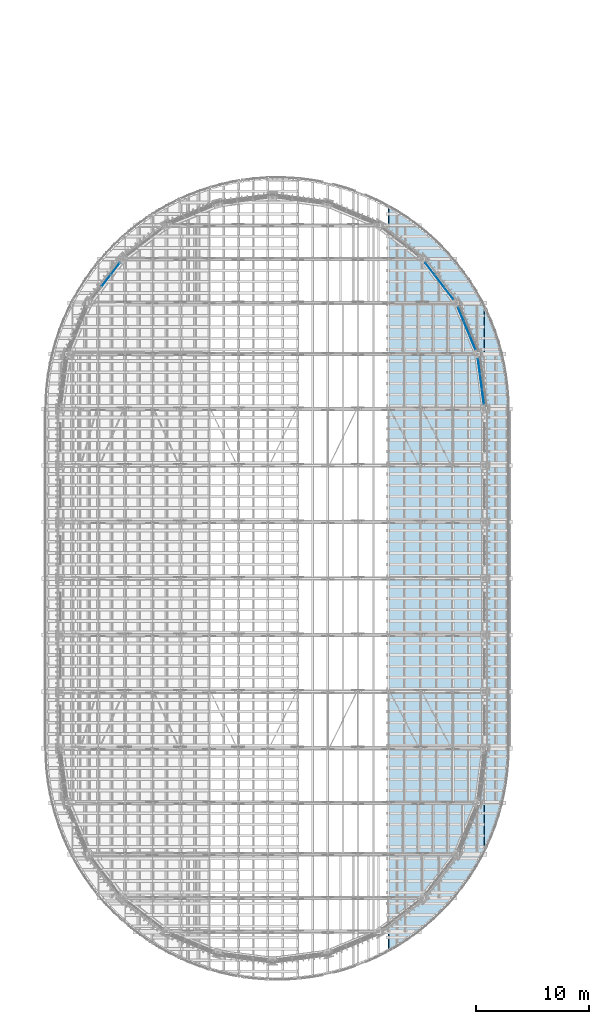
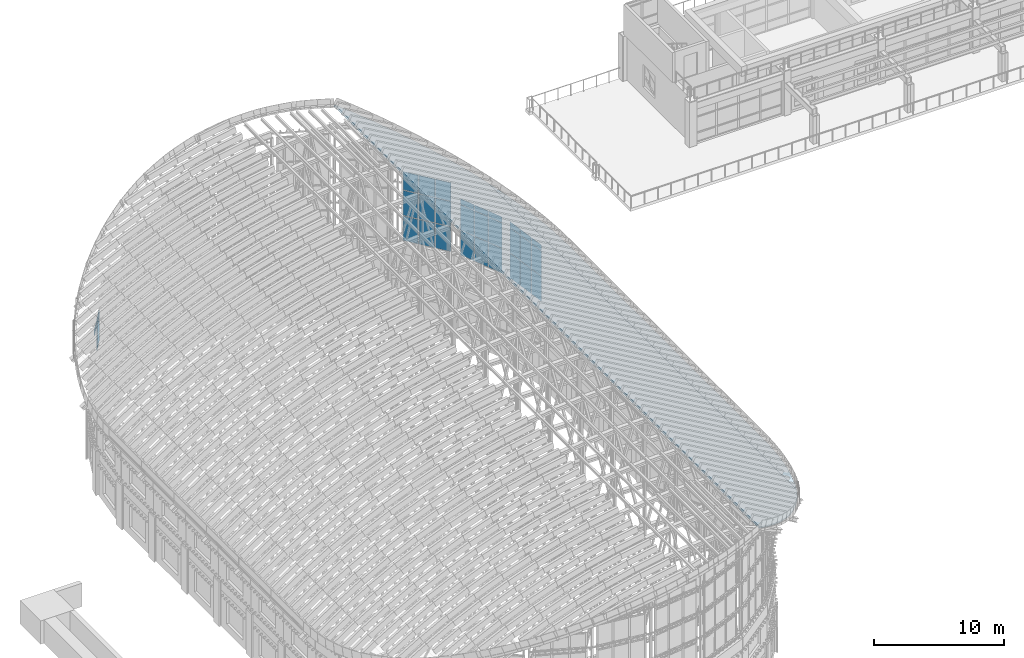
# One storey, part 48 of 105: 30 plates, 2 slabs, 4 elements without a shape of their own.
"""IFC4 building model written with IfcOpenShell, lengths in metres."""

from ifc_helpers import new_model, si_unit, direction, frame, origin, origin_2d, place, context, subcontext, project, spatial, polyline, rectangle, outline, extrude, material, layer, layer_set, type_object, element, aggregate, save


model = new_model("IFC4")

# Units and contexts
model_context = context("Model", 3, precision=1e-05, world=origin(), true_north=direction((0.0, 1.0)))
body_context = subcontext(model_context, "Body", "Model", "MODEL_VIEW")
ifc_project = project(units=[si_unit("LENGTHUNIT", "METRE"), si_unit("AREAUNIT", "SQUARE_METRE"), si_unit("VOLUMEUNIT", "CUBIC_METRE"), si_unit("PLANEANGLEUNIT", "RADIAN"), si_unit("MASSUNIT", "GRAM", prefix="KILO")], contexts=[model_context])

# Site, building, storey
site_placement = place(None, origin())
site = spatial("IfcSite", under=ifc_project, at=site_placement, CompositionType="ELEMENT")
building_placement = place(site_placement, origin())
building = spatial("IfcBuilding", under=site, at=building_placement, Name="Wasatch Bagh Community Centre", CompositionType="ELEMENT")
storey_placement = place(building_placement, frame((0.0, 0.0, 16.800048828125)))
storey = spatial("IfcBuildingStorey", under=building, at=storey_placement, Name="L04", CompositionType="ELEMENT", Elevation=16.800048828125)

# Curtain wall, plates
ifc_material_1 = material(Name="Aluminium curtain wall frame with low-iron glass", Category="aluminium")
ifc_layer_1 = layer(ifc_material_1, 0.10009765625)
ifc_layer_set_1 = layer_set([ifc_layer_1], Name="Aluminium curtain wall frame with low-iron glass")
curtain_wall_type_1 = type_object("IfcCurtainWallType", Name="MH end screen curtain wall 9", PredefinedType="NOTDEFINED", material=ifc_layer_set_1)
curtain_wall_1_placement = place(storey_placement, origin())
curtain_wall_1 = element("IfcCurtainWall", 1, at=curtain_wall_1_placement, inside=storey, type_object=curtain_wall_type_1, Name="End screen 19", PredefinedType="NOTDEFINED")
ifc_material_2 = material(Name="Low-iron insulated glass", Category="glass")
ifc_layer_2 = layer(ifc_material_2, 0.028076171875)
ifc_layer_set_2 = layer_set([ifc_layer_2], Name="Low-iron insulated glass")
plate_type_1 = type_object("IfcPlateType", Name="MH end screen panel 28", PredefinedType="CURTAIN_PANEL", material=ifc_layer_set_2)
plate_1_placement = place(storey_placement, frame((54.60791015625, 66.0791015625, 7.760009765625), z_axis=(0.0, 0.0, 1.0), x_axis=(-0.13052619222, 0.991444861374, 0.0)))
plate_1 = element("IfcPlate", 2, at=plate_1_placement, type_object=plate_type_1, Name="MH-CW9 panel 1.1", PredefinedType="CURTAIN_PANEL", context=body_context, shape_type="SweptSolid", body=[
    extrude(rectangle(XDim=1.283935546875, YDim=0.028076171875, at=origin_2d()), origin(), (0.0, 0.0, 1.0), 2.31005859375),
])
plate_2_placement = place(storey_placement, frame((54.60791015625, 66.0791015625, 10.1298828125), z_axis=(0.0, 0.0, 1.0), x_axis=(-0.13052619222, 0.991444861374, 0.0)))
plate_2 = element("IfcPlate", 3, at=plate_2_placement, type_object=plate_type_1, Name="MH-CW9 panel 1.2", PredefinedType="CURTAIN_PANEL", context=body_context, shape_type="SweptSolid", body=[
    extrude(rectangle(XDim=1.283935546875, YDim=0.028076171875, at=origin_2d()), origin(), (0.0, 0.0, 1.0), 2.340087890625),
])
plate_3_placement = place(storey_placement, frame((54.60791015625, 66.0791015625, 12.52978515625), z_axis=(0.0, 0.0, 1.0), x_axis=(-0.13052619222, 0.991444861374, 0.0)))
plate_3 = element("IfcPlate", 4, at=plate_3_placement, type_object=plate_type_1, Name="MH-CW9 panel 1.3", PredefinedType="CURTAIN_PANEL", context=body_context, shape_type="SweptSolid", body=[
    extrude(rectangle(XDim=1.283935546875, YDim=0.028076171875, at=origin_2d()), origin(), (0.0, 0.0, 1.0), 0.510009765625),
])
plate_4_placement = place(storey_placement, frame((54.4306640625, 67.426513671875, 7.760009765625), z_axis=(0.0, 0.0, 1.0), x_axis=(-0.13052619222, 0.991444861374, 0.0)))
plate_4 = element("IfcPlate", 5, at=plate_4_placement, type_object=plate_type_1, Name="MH-CW9 panel 2.1", PredefinedType="CURTAIN_PANEL", context=body_context, shape_type="SweptSolid", body=[
    extrude(rectangle(XDim=1.31396484375, YDim=0.028076171875, at=origin_2d()), origin(), (0.0, 0.0, 1.0), 2.31005859375),
])
plate_5_placement = place(storey_placement, frame((54.4306640625, 67.426513671875, 10.1298828125), z_axis=(0.0, 0.0, 1.0), x_axis=(-0.13052619222, 0.991444861374, 0.0)))
plate_5 = element("IfcPlate", 6, at=plate_5_placement, type_object=plate_type_1, Name="MH-CW9 panel 2.2", PredefinedType="CURTAIN_PANEL", context=body_context, shape_type="SweptSolid", body=[
    extrude(rectangle(XDim=1.31396484375, YDim=0.028076171875, at=origin_2d()), origin(), (0.0, 0.0, 1.0), 2.340087890625),
])
plate_6_placement = place(storey_placement, frame((54.4306640625, 67.426513671875, 12.52978515625), z_axis=(0.0, 0.0, 1.0), x_axis=(-0.13052619222, 0.991444861374, 0.0)))
plate_6 = element("IfcPlate", 7, at=plate_6_placement, type_object=plate_type_1, Name="MH-CW9 panel 2.3", PredefinedType="CURTAIN_PANEL", context=body_context, shape_type="SweptSolid", body=[
    extrude(rectangle(XDim=1.31396484375, YDim=0.028076171875, at=origin_2d()), origin(), (0.0, 0.0, 1.0), 0.510009765625),
])

curtain_wall_2_placement = place(storey_placement, origin())
curtain_wall_2 = element("IfcCurtainWall", 8, at=curtain_wall_2_placement, inside=storey, type_object=curtain_wall_type_1, Name="End screen 20", PredefinedType="NOTDEFINED")
plate_7_placement = place(storey_placement, frame((53.174560546875, 72.114013671875, 7.760009765625), z_axis=(0.0, 0.0, 1.0), x_axis=(-0.382683432188, 0.923879532585, 0.0)))
plate_7 = element("IfcPlate", 9, at=plate_7_placement, type_object=plate_type_1, Name="MH-CW9 panel 2.1", PredefinedType="CURTAIN_PANEL", context=body_context, shape_type="SweptSolid", body=[
    extrude(rectangle(XDim=1.31396484375, YDim=0.028076171875, at=origin_2d()), origin(), (0.0, 0.0, 1.0), 2.31005859375),
])
plate_8_placement = place(storey_placement, frame((53.174560546875, 72.114013671875, 10.1298828125), z_axis=(0.0, 0.0, 1.0), x_axis=(-0.382683432188, 0.923879532585, 0.0)))
plate_8 = element("IfcPlate", 10, at=plate_8_placement, type_object=plate_type_1, Name="MH-CW9 panel 2.2", PredefinedType="CURTAIN_PANEL", context=body_context, shape_type="SweptSolid", body=[
    extrude(rectangle(XDim=1.31396484375, YDim=0.028076171875, at=origin_2d()), origin(), (0.0, 0.0, 1.0), 2.340087890625),
])
plate_9_placement = place(storey_placement, frame((53.174560546875, 72.114013671875, 12.52978515625), z_axis=(0.0, 0.0, 1.0), x_axis=(-0.382683432188, 0.923879532585, 0.0)))
plate_9 = element("IfcPlate", 11, at=plate_9_placement, type_object=plate_type_1, Name="MH-CW9 panel 2.3", PredefinedType="CURTAIN_PANEL", context=body_context, shape_type="SweptSolid", body=[
    extrude(rectangle(XDim=1.31396484375, YDim=0.028076171875, at=origin_2d()), origin(), (0.0, 0.0, 1.0), 0.510009765625),
])

ifc_layer_3 = layer(ifc_material_1, 0.10009765625)
ifc_layer_set_3 = layer_set([ifc_layer_3], Name="Aluminium curtain wall frame with low-iron glass")
curtain_wall_type_2 = type_object("IfcCurtainWallType", Name="MH end screen curtain wall 5", PredefinedType="NOTDEFINED", material=ifc_layer_set_3)
curtain_wall_3_placement = place(storey_placement, origin())
curtain_wall_3 = element("IfcCurtainWall", 12, at=curtain_wall_3_placement, inside=storey, type_object=curtain_wall_type_2, Name="End screen 21", PredefinedType="NOTDEFINED")
plate_10_placement = place(storey_placement, frame((50.748046875, 76.316650390625, 7.760009765625), z_axis=(0.0, 0.0, 1.0), x_axis=(-0.608761429036, 0.79335334027, 0.0)))
plate_10 = element("IfcPlate", 13, at=plate_10_placement, type_object=plate_type_1, Name="MH-CW5 panel 2.1", PredefinedType="CURTAIN_PANEL", context=body_context, shape_type="SweptSolid", body=[
    extrude(rectangle(XDim=1.31396484375, YDim=0.028076171875, at=origin_2d()), origin(), (0.0, 0.0, 1.0), 2.31005859375),
])
plate_11_placement = place(storey_placement, frame((50.748046875, 76.316650390625, 10.1298828125), z_axis=(0.0, 0.0, 1.0), x_axis=(-0.608761429036, 0.79335334027, 0.0)))
plate_11 = element("IfcPlate", 14, at=plate_11_placement, type_object=plate_type_1, Name="MH-CW5 panel 2.2", PredefinedType="CURTAIN_PANEL", context=body_context, shape_type="SweptSolid", body=[
    extrude(rectangle(XDim=1.31396484375, YDim=0.028076171875, at=origin_2d()), origin(), (0.0, 0.0, 1.0), 2.340087890625),
])
plate_12_placement = place(storey_placement, frame((50.748046875, 76.316650390625, 12.530029296875), z_axis=(0.0, 0.0, 1.0), x_axis=(-0.608761429036, 0.79335334027, 0.0)))
plate_12 = element("IfcPlate", 15, at=plate_12_placement, type_object=plate_type_1, Name="MH-CW5 panel 2.3", PredefinedType="CURTAIN_PANEL", context=body_context, shape_type="SweptSolid", body=[
    extrude(rectangle(XDim=1.31396484375, YDim=0.028076171875, at=origin_2d()), origin(), (0.0, 0.0, 1.0), 1.7099609375),
])

# Curtain wall, plate
ifc_layer_4 = layer(ifc_material_1, 0.10009765625)
ifc_layer_set_4 = layer_set([ifc_layer_4], Name="Aluminium curtain wall frame with low-iron glass")
curtain_wall_type_3 = type_object("IfcCurtainWallType", Name="MH end screen curtain wall 3", PredefinedType="NOTDEFINED", material=ifc_layer_set_4)
curtain_wall_4_placement = place(storey_placement, origin())
curtain_wall_4 = element("IfcCurtainWall", 16, at=curtain_wall_4_placement, inside=storey, type_object=curtain_wall_type_3, Name="End screen 28", PredefinedType="NOTDEFINED")
plate_13_placement = place(storey_placement, frame((21.251953125, 76.316650390625, 10.1298828125), z_axis=(0.0, 0.0, 1.0), x_axis=(-0.608761429036, -0.79335334027, 0.0)))
plate_13 = element("IfcPlate", 17, at=plate_13_placement, type_object=plate_type_1, Name="MH-CW3 panel 2.2", PredefinedType="CURTAIN_PANEL", context=body_context, shape_type="SweptSolid", body=[
    extrude(rectangle(XDim=1.31396484375, YDim=0.028076171875, at=origin_2d()), origin(), (0.0, 0.0, 1.0), 0.510009765625),
])

# Plate
ifc_material_3 = material(Name="Insulated aluminium spandrel panel", Category="aluminium")
ifc_layer_5 = layer(ifc_material_3, 0.0400390625)
ifc_layer_set_5 = layer_set([ifc_layer_5], Name="Insulated aluminium spandrel panel")
plate_type_2 = type_object("IfcPlateType", Name="MH end screen spandrel panel 40", PredefinedType="CURTAIN_PANEL", material=ifc_layer_set_5)
plate_14_placement = place(storey_placement, frame((54.253173828125, 68.773681640625, 7.760009765625), z_axis=(0.0, 0.0, 1.0), x_axis=(-0.13052619222, 0.991444861374, 0.0)))
plate_14 = element("IfcPlate", 18, at=plate_14_placement, type_object=plate_type_2, Name="MH-CW9 spandrel 3.1", PredefinedType="CURTAIN_PANEL", context=body_context, shape_type="SweptSolid", body=[
    extrude(rectangle(XDim=1.283935546875, YDim=0.028076171875, at=origin_2d()), origin(), (0.0, 0.0, 1.0), 2.31005859375),
])

plate_15_placement = place(storey_placement, frame((54.253173828125, 68.773681640625, 10.1298828125), z_axis=(0.0, 0.0, 1.0), x_axis=(-0.13052619222, 0.991444861374, 0.0)))
plate_15 = element("IfcPlate", 19, at=plate_15_placement, type_object=plate_type_2, Name="MH-CW9 spandrel 3.2", PredefinedType="CURTAIN_PANEL", context=body_context, shape_type="SweptSolid", body=[
    extrude(rectangle(XDim=1.283935546875, YDim=0.028076171875, at=origin_2d()), origin(), (0.0, 0.0, 1.0), 2.340087890625),
])

plate_16_placement = place(storey_placement, frame((54.253173828125, 68.773681640625, 12.52978515625), z_axis=(0.0, 0.0, 1.0), x_axis=(-0.13052619222, 0.991444861374, 0.0)))
plate_16 = element("IfcPlate", 20, at=plate_16_placement, type_object=plate_type_2, Name="MH-CW9 spandrel 3.3", PredefinedType="CURTAIN_PANEL", context=body_context, shape_type="SweptSolid", body=[
    extrude(rectangle(XDim=1.283935546875, YDim=0.028076171875, at=origin_2d()), origin(), (0.0, 0.0, 1.0), 0.510009765625),
])

aggregate(curtain_wall_1, [plate_1, plate_2, plate_3, plate_4, plate_5, plate_6, plate_14, plate_15, plate_16])

plate_17_placement = place(storey_placement, frame((53.694580078125, 70.8583984375, 7.760009765625), z_axis=(0.0, 0.0, 1.0), x_axis=(-0.382683432188, 0.923879532585, 0.0)))
plate_17 = element("IfcPlate", 21, at=plate_17_placement, type_object=plate_type_2, Name="MH-CW9 spandrel 1.1", PredefinedType="CURTAIN_PANEL", context=body_context, shape_type="SweptSolid", body=[
    extrude(rectangle(XDim=1.283935546875, YDim=0.028076171875, at=origin_2d()), origin(), (0.0, 0.0, 1.0), 2.31005859375),
])

plate_18_placement = place(storey_placement, frame((53.694580078125, 70.8583984375, 10.1298828125), z_axis=(0.0, 0.0, 1.0), x_axis=(-0.382683432188, 0.923879532585, 0.0)))
plate_18 = element("IfcPlate", 22, at=plate_18_placement, type_object=plate_type_2, Name="MH-CW9 spandrel 1.2", PredefinedType="CURTAIN_PANEL", context=body_context, shape_type="SweptSolid", body=[
    extrude(rectangle(XDim=1.283935546875, YDim=0.028076171875, at=origin_2d()), origin(), (0.0, 0.0, 1.0), 2.340087890625),
])

plate_19_placement = place(storey_placement, frame((53.694580078125, 70.8583984375, 12.52978515625), z_axis=(0.0, 0.0, 1.0), x_axis=(-0.382683432188, 0.923879532585, 0.0)))
plate_19 = element("IfcPlate", 23, at=plate_19_placement, type_object=plate_type_2, Name="MH-CW9 spandrel 1.3", PredefinedType="CURTAIN_PANEL", context=body_context, shape_type="SweptSolid", body=[
    extrude(rectangle(XDim=1.283935546875, YDim=0.028076171875, at=origin_2d()), origin(), (0.0, 0.0, 1.0), 0.510009765625),
])

plate_20_placement = place(storey_placement, frame((52.654541015625, 73.369384765625, 7.760009765625), z_axis=(0.0, 0.0, 1.0), x_axis=(-0.382683432188, 0.923879532585, 0.0)))
plate_20 = element("IfcPlate", 24, at=plate_20_placement, type_object=plate_type_2, Name="MH-CW9 spandrel 3.1", PredefinedType="CURTAIN_PANEL", context=body_context, shape_type="SweptSolid", body=[
    extrude(rectangle(XDim=1.283935546875, YDim=0.028076171875, at=origin_2d()), origin(), (0.0, 0.0, 1.0), 2.31005859375),
])

plate_21_placement = place(storey_placement, frame((52.654541015625, 73.369384765625, 10.1298828125), z_axis=(0.0, 0.0, 1.0), x_axis=(-0.382683432188, 0.923879532585, 0.0)))
plate_21 = element("IfcPlate", 25, at=plate_21_placement, type_object=plate_type_2, Name="MH-CW9 spandrel 3.2", PredefinedType="CURTAIN_PANEL", context=body_context, shape_type="SweptSolid", body=[
    extrude(rectangle(XDim=1.283935546875, YDim=0.028076171875, at=origin_2d()), origin(), (0.0, 0.0, 1.0), 2.340087890625),
])

plate_22_placement = place(storey_placement, frame((52.654541015625, 73.369384765625, 12.52978515625), z_axis=(0.0, 0.0, 1.0), x_axis=(-0.382683432188, 0.923879532585, 0.0)))
plate_22 = element("IfcPlate", 26, at=plate_22_placement, type_object=plate_type_2, Name="MH-CW9 spandrel 3.3", PredefinedType="CURTAIN_PANEL", context=body_context, shape_type="SweptSolid", body=[
    extrude(rectangle(XDim=1.283935546875, YDim=0.028076171875, at=origin_2d()), origin(), (0.0, 0.0, 1.0), 0.510009765625),
])

aggregate(curtain_wall_2, [plate_17, plate_18, plate_19, plate_7, plate_8, plate_9, plate_20, plate_21, plate_22])

plate_23_placement = place(storey_placement, frame((51.575439453125, 75.238525390625, 7.760009765625), z_axis=(0.0, 0.0, 1.0), x_axis=(-0.608761429036, 0.79335334027, 0.0)))
plate_23 = element("IfcPlate", 27, at=plate_23_placement, type_object=plate_type_2, Name="MH-CW5 spandrel 1.1", PredefinedType="CURTAIN_PANEL", context=body_context, shape_type="SweptSolid", body=[
    extrude(rectangle(XDim=1.283935546875, YDim=0.028076171875, at=origin_2d()), origin(), (0.0, 0.0, 1.0), 2.31005859375),
])

plate_24_placement = place(storey_placement, frame((51.575439453125, 75.238525390625, 10.1298828125), z_axis=(0.0, 0.0, 1.0), x_axis=(-0.608761429036, 0.79335334027, 0.0)))
plate_24 = element("IfcPlate", 28, at=plate_24_placement, type_object=plate_type_2, Name="MH-CW5 spandrel 1.2", PredefinedType="CURTAIN_PANEL", context=body_context, shape_type="SweptSolid", body=[
    extrude(rectangle(XDim=1.283935546875, YDim=0.028076171875, at=origin_2d()), origin(), (0.0, 0.0, 1.0), 2.340087890625),
])

plate_25_placement = place(storey_placement, frame((51.575439453125, 75.238525390625, 12.530029296875), z_axis=(0.0, 0.0, 1.0), x_axis=(-0.608761429036, 0.79335334027, 0.0)))
plate_25 = element("IfcPlate", 29, at=plate_25_placement, type_object=plate_type_2, Name="MH-CW5 spandrel 1.3", PredefinedType="CURTAIN_PANEL", context=body_context, shape_type="SweptSolid", body=[
    extrude(rectangle(XDim=1.283935546875, YDim=0.028076171875, at=origin_2d()), origin(), (0.0, 0.0, 1.0), 1.7099609375),
])

plate_26_placement = place(storey_placement, frame((49.9208984375, 77.394775390625, 7.760009765625), z_axis=(0.0, 0.0, 1.0), x_axis=(-0.608761429036, 0.79335334027, 0.0)))
plate_26 = element("IfcPlate", 30, at=plate_26_placement, type_object=plate_type_2, Name="MH-CW5 spandrel 3.1", PredefinedType="CURTAIN_PANEL", context=body_context, shape_type="SweptSolid", body=[
    extrude(rectangle(XDim=1.283935546875, YDim=0.028076171875, at=origin_2d()), origin(), (0.0, 0.0, 1.0), 2.31005859375),
])

plate_27_placement = place(storey_placement, frame((49.9208984375, 77.394775390625, 10.1298828125), z_axis=(0.0, 0.0, 1.0), x_axis=(-0.608761429036, 0.79335334027, 0.0)))
plate_27 = element("IfcPlate", 31, at=plate_27_placement, type_object=plate_type_2, Name="MH-CW5 spandrel 3.2", PredefinedType="CURTAIN_PANEL", context=body_context, shape_type="SweptSolid", body=[
    extrude(rectangle(XDim=1.283935546875, YDim=0.028076171875, at=origin_2d()), origin(), (0.0, 0.0, 1.0), 2.340087890625),
])

plate_28_placement = place(storey_placement, frame((49.9208984375, 77.394775390625, 12.530029296875), z_axis=(0.0, 0.0, 1.0), x_axis=(-0.608761429036, 0.79335334027, 0.0)))
plate_28 = element("IfcPlate", 32, at=plate_28_placement, type_object=plate_type_2, Name="MH-CW5 spandrel 3.3", PredefinedType="CURTAIN_PANEL", context=body_context, shape_type="SweptSolid", body=[
    extrude(rectangle(XDim=1.283935546875, YDim=0.028076171875, at=origin_2d()), origin(), (0.0, 0.0, 1.0), 1.7099609375),
])

aggregate(curtain_wall_3, [plate_23, plate_24, plate_25, plate_10, plate_11, plate_12, plate_26, plate_27, plate_28])

plate_29_placement = place(storey_placement, frame((22.0791015625, 77.394775390625, 7.760009765625), z_axis=(0.0, 0.0, 1.0), x_axis=(-0.608761429036, -0.79335334027, 0.0)))
plate_29 = element("IfcPlate", 33, at=plate_29_placement, type_object=plate_type_2, Name="MH-CW3 spandrel 1.1", PredefinedType="CURTAIN_PANEL", context=body_context, shape_type="SweptSolid", body=[
    extrude(rectangle(XDim=1.283935546875, YDim=0.028076171875, at=origin_2d()), origin(), (0.0, 0.0, 1.0), 2.31005859375),
])

plate_30_placement = place(storey_placement, frame((22.0791015625, 77.394775390625, 10.1298828125), z_axis=(0.0, 0.0, 1.0), x_axis=(-0.608761429036, -0.79335334027, 0.0)))
plate_30 = element("IfcPlate", 34, at=plate_30_placement, type_object=plate_type_2, Name="MH-CW3 spandrel 1.2", PredefinedType="CURTAIN_PANEL", context=body_context, shape_type="SweptSolid", body=[
    extrude(rectangle(XDim=1.283935546875, YDim=0.028076171875, at=origin_2d()), origin(), (0.0, 0.0, 1.0), 0.510009765625),
])

aggregate(curtain_wall_4, [plate_29, plate_30, plate_13])

# Slabs
ifc_material_4 = material(Name="ASTM A653 Grade 50 steel roof deck assembly", Category="steel")
ifc_layer_6 = layer(ifc_material_4, 0.139892578125)
ifc_layer_set_6 = layer_set([ifc_layer_6], Name="ASTM A653 Grade 50 steel roof deck assembly")
slab_type = type_object("IfcSlabType", Name="MH roof deck", PredefinedType="ROOF", material=ifc_layer_set_6)
slab_1_placement = place(storey_placement, frame((46.862060546875, 82.454833984375, 18.3662109375), z_axis=(0.500000468849, 0.0, 0.866025133094), x_axis=(0.759287815156, -0.480945808944, -0.438375572557)))
element("IfcSlab", 35, at=slab_1_placement, inside=storey, type_object=slab_type, Name="Roof deck 13", PredefinedType="ROOF", context=body_context, shape_type="SweptSolid", body=[
    extrude(outline(polyline([(0.0, 0.0), (1.1111934404807402, -4.163336342344337e-17), (2.2146767592671868, -0.05073238517749534), (3.3073279118774126, -0.15223900377360555), (4.386716675691794, -0.3041822016597506), (5.4503344803752265, -0.5062673027415877), (6.49552665961143, -0.7580013117789584), (7.519930945372141, -1.0587308369769768), (8.520696905215212, -1.4077918107578977), (9.495569296398648, -1.8044721320665906), (10.44254620377356, -2.247642274887136), (11.358913104080525, -2.7360066963091776), (12.150841177504004, -3.2135497869694847), (35.03756805642985, -44.93539206126525), (35.014730571038974, -45.859878906047065), (34.934147915864244, -46.895125031262744), (34.799001897902684, -47.931899159227974), (34.60965867220599, -48.967215825416666), (34.366241459356864, -49.99877974989554), (34.069361644351886, -51.02430632851423), (33.71999096506702, -52.04103482290129), (33.318847831785114, -53.046621919646086), (32.86694305307703, -54.03856390878325), (32.36537617835324, -55.01458686194527), (31.81516840930873, -55.972459828798804), (31.218032769500777, -56.909572356640886), (30.790759356119633, -57.51681439619823), (-0.7417199163966155, -0.034015143814748766), (0.0, 0.0)])), origin(), (0.0, 0.0, -1.0), 0.139892578125),
])
slab_2_placement = place(storey_placement, frame((54.75048828125, 73.79150390625, 13.811767578125), z_axis=(0.499972323579, 0.0, 0.866041382184), x_axis=(0.39838379279, -0.88791606957, -0.22999001509)))
element("IfcSlab", 36, at=slab_2_placement, inside=storey, type_object=slab_type, Name="Roof deck 14", PredefinedType="ROOF", context=body_context, shape_type="SweptSolid", body=[
    extrude(outline(polyline([(0.0, 0.0), (1.130631919394883, 1.3877787807814457e-17), (2.1489639734386503, -0.060197913100553474), (3.1576312882347435, -0.1751409111638637), (4.153867491788574, -0.34486138488664575), (5.1354709234002405, -0.568832436843516), (6.099791331457599, -0.8463315846176743), (7.045131796079014, -1.176919133582662), (7.968569139362142, -1.559868677485657), (8.84992429886466, -1.9853028914690358), (35.523391265750824, -15.804110475954163), (36.37928204900651, -16.27869677447882), (37.22474000057077, -16.812164423246845), (38.04005732819819, -17.393726437869365), (38.822954576570964, -18.021413879914867), (39.57209379619233, -18.69409415961063), (40.28535615822261, -19.41001902674614), (40.96104134844664, -20.167693870233542), (41.59758021117553, -20.964840178805858), (42.249717275215076, -21.88844495730175), (0.0, 0.0)])), origin(), (0.0, 0.0, -1.0), 0.139892578125),
])

save(model, "model.ifc")
